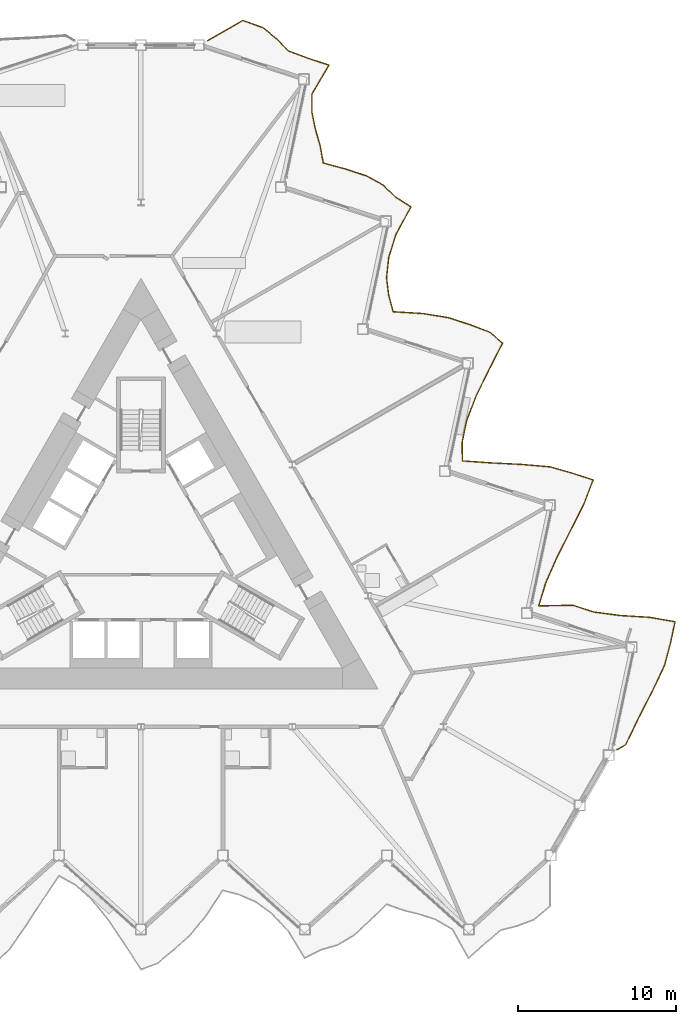
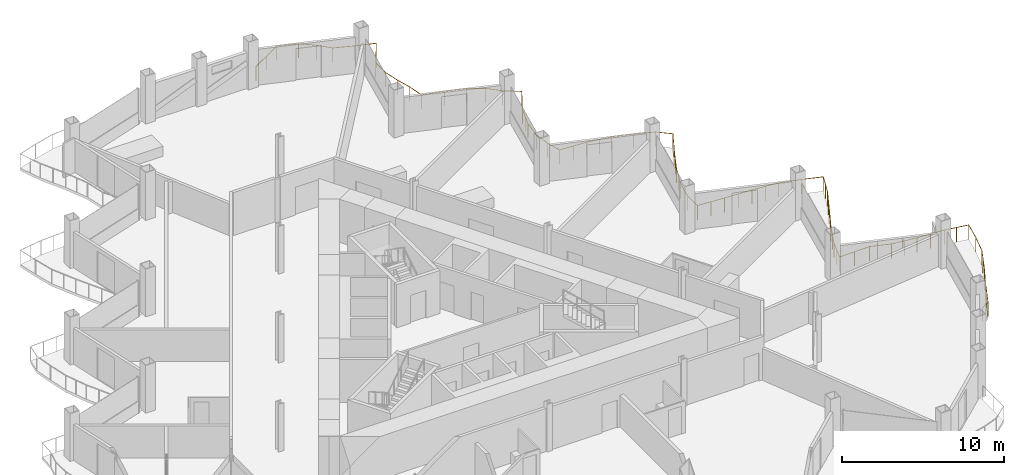
# One storey, part 21 of 23: 1 railing.
"""IFC4 building model written with IfcOpenShell, lengths in metres."""

import ifcopenshell
import ifcopenshell.guid

model = None  # the IFC model being written
_history = None  # IfcOwnerHistory: only IFC2X3 demands one
_inside = {}  # id of a spatial element -> (the spatial element, [elements in it])
_under = {}  # id of a project, library or spatial element -> (it, [spatial elements below it])
_declared = {}  # id of a project -> (the project, [libraries it declares])
_typed = {}  # id of a type object -> (the type object, [elements of that type])
_made_of = {}  # id of a material, layer set ... -> (it, [elements and type objects made of it])


def new_model(schema):
    """Start an empty IFC model of exactly this schema.

    Asked for "IFC4X3", IfcOpenShell would pick the latest addendum, in which some entities
    have other attributes; the version numbers below select the first issue.
    IFC2X3 requires an IfcOwnerHistory on every rooted entity: one is made here for all.
    """
    global model, _history
    if schema == "IFC4X3":
        model = ifcopenshell.file(schema_version=(4, 3, 0, 0))
    else:
        model = ifcopenshell.file(schema=schema)
    _inside.clear()
    _under.clear()
    _declared.clear()
    _typed.clear()
    _made_of.clear()
    _history = None
    if model.schema == "IFC2X3":
        org = make("IfcOrganization", Name="unknown")
        user = make(
            "IfcPersonAndOrganization",
            ThePerson=make("IfcPerson", FamilyName="unknown"),
            TheOrganization=org,
        )
        app = make(
            "IfcApplication",
            ApplicationDeveloper=org,
            Version="unknown",
            ApplicationFullName="unknown",
            ApplicationIdentifier="unknown",
        )
        _history = make(
            "IfcOwnerHistory",
            OwningUser=user,
            OwningApplication=app,
            ChangeAction="ADDED",
            CreationDate=0,
        )
    return model


def make(cls, **values):
    """One entity of the class cls with the attributes given. An attribute that is None is left unset."""
    return model.create_entity(
        cls, **{name: value for name, value in values.items() if value is not None}
    )


def rooted(cls, **values):
    """An entity with a GlobalId (a new one), such as an element, a storey or a relation."""
    return make(cls, GlobalId=ifcopenshell.guid.new(), OwnerHistory=_history, **values)


def si_unit(unit_type, name, prefix=None):
    """IfcSIUnit, for example si_unit("LENGTHUNIT", "METRE", prefix="MILLI")."""
    return make("IfcSIUnit", UnitType=unit_type, Prefix=prefix, Name=name)


def assignment(units):
    """IfcUnitAssignment: the units of a project."""
    return None if units is None else make("IfcUnitAssignment", Units=units)


def point(xyz):
    """IfcCartesianPoint."""
    return None if xyz is None else make("IfcCartesianPoint", Coordinates=xyz)


def direction(xyz):
    """IfcDirection."""
    return None if xyz is None else make("IfcDirection", DirectionRatios=xyz)


def frame(location, z_axis=None, x_axis=None):
    """IfcAxis2Placement3D, a coordinate frame: its origin and axes. An axis left out is left unset."""
    return make(
        "IfcAxis2Placement3D",
        Location=point(location),
        Axis=direction(z_axis),
        RefDirection=direction(x_axis),
    )


def frame_2d(location, x_axis=None):
    """IfcAxis2Placement2D, a coordinate frame in the plane: its origin and x axis."""
    return make(
        "IfcAxis2Placement2D", Location=point(location), RefDirection=direction(x_axis)
    )


def origin():
    """The frame at (0, 0, 0) with its axes left unset."""
    return frame((0.0, 0.0, 0.0))


def origin_2d():
    """The frame at (0, 0) in the plane with its x axis left unset."""
    return frame_2d((0.0, 0.0))


def place(relative_to, where):
    """IfcLocalPlacement: puts the frame where relative to a parent placement (None: the world)."""
    return make(
        "IfcLocalPlacement", PlacementRelTo=relative_to, RelativePlacement=where
    )


def context(
    kind, dimensions, precision=None, world=None, true_north=None, identifier=None
):
    """IfcGeometricRepresentationContext, for example the 3D "Model" context."""
    return make(
        "IfcGeometricRepresentationContext",
        ContextIdentifier=identifier,
        ContextType=kind,
        CoordinateSpaceDimension=dimensions,
        Precision=precision,
        WorldCoordinateSystem=world,
        TrueNorth=true_north,
    )


def subcontext(parent, identifier, kind, view, scale=None):
    """IfcGeometricRepresentationSubContext, for example "Body" below "Model"."""
    return make(
        "IfcGeometricRepresentationSubContext",
        ContextIdentifier=identifier,
        ContextType=kind,
        ParentContext=parent,
        TargetScale=scale,
        TargetView=view,
    )


def project(units=None, contexts=None):
    """IfcProject with its units and contexts."""
    return rooted(
        "IfcProject",
        Name="project",
        RepresentationContexts=contexts,
        UnitsInContext=assignment(units),
    )


def spatial(cls, under=None, at=None, **own):
    """A site, building, storey or space (cls), placed at a placement, below another one or the project."""
    s = rooted(cls, ObjectPlacement=at, **own)
    if under is not None:
        _under.setdefault(under.id(), (under, []))[1].append(s)
    return s


def profile(cls, at=None, kind="AREA", **sizes):
    """A parametric profile (cls). Its sizes go by their IFC names, for example OverallWidth=200.0."""
    return make(cls, ProfileType=kind, Position=at, **sizes)


def circle(**sizes):
    """IfcCircleProfileDef."""
    return profile("IfcCircleProfileDef", **sizes)


def extrude(swept, where, along, depth):
    """IfcExtrudedAreaSolid: the profile swept, set in the frame where, extruded along a direction by depth."""
    return make(
        "IfcExtrudedAreaSolid",
        SweptArea=swept,
        Position=where,
        ExtrudedDirection=direction(along),
        Depth=depth,
    )


def shape(context_of_items, identifier, shape_type, items):
    """IfcShapeRepresentation: the items that make up one representation, for example the "Body"."""
    return make(
        "IfcShapeRepresentation",
        ContextOfItems=context_of_items,
        RepresentationIdentifier=identifier,
        RepresentationType=shape_type,
        Items=items,
    )


def material(Name=None, Category=None):
    """IfcMaterial."""
    return make("IfcMaterial", Name=Name, Category=Category)


def made_of(thing, what):
    """Note that an element or type object is made of a material, layer set ...; save() writes the relation."""
    if what is not None:
        _made_of.setdefault(what.id(), (what, []))[1].append(thing)
    return thing


def type_object(cls, material=None, **own):
    """A type object (cls), such as IfcWallType, which elements share."""
    return made_of(rooted(cls, **own), material)


def element(
    cls,
    number,
    at=None,
    inside=None,
    cuts=None,
    type_object=None,
    material=None,
    context=None,
    identifier="Body",
    shape_type=None,
    held_by="IfcProductDefinitionShape",
    body=None,
    shapes=None,
    **own,
):
    """One element of the class cls, such as IfcWall. Its Tag is "e" and its number.

    at: its placement. inside: the storey or other place that contains it. cuts: it is an
    opening in that element (IfcRelVoidsElement). A single representation is given by context,
    identifier, shape_type and body (its items); several are given by shapes. held_by: the class
    of the entity that holds the representations. save() writes the other relations.
    """
    e = rooted(cls, Tag="e%d" % number, ObjectPlacement=at, **own)
    if body is not None:
        shapes = [shape(context, identifier, shape_type, body)]
    if shapes is not None:
        e.Representation = make(held_by, Representations=shapes)
    if inside is not None:
        _inside.setdefault(inside.id(), (inside, []))[1].append(e)
    if cuts is not None:
        rooted(
            "IfcRelVoidsElement", RelatingBuildingElement=cuts, RelatedOpeningElement=e
        )
    if type_object is not None:
        _typed.setdefault(type_object.id(), (type_object, []))[1].append(e)
    return made_of(e, material)


def aggregate(whole, parts):
    """IfcRelAggregates: a whole, such as a stair, and the parts it consists of."""
    return rooted("IfcRelAggregates", RelatingObject=whole, RelatedObjects=parts)


def save(model, path):
    """Write the relations noted so far, then the file.

    IfcRelAggregates (storeys below a building ...), IfcRelContainedInSpatialStructure (elements
    in a storey), IfcRelDefinesByType, IfcRelAssociatesMaterial and IfcRelDeclares: one each for
    every whole, place, type object, material and project.
    """
    for whole, parts in _under.values():
        aggregate(whole, parts)
    for where, things in _inside.values():
        rooted(
            "IfcRelContainedInSpatialStructure",
            RelatedElements=things,
            RelatingStructure=where,
        )
    for kind, things in _typed.values():
        rooted("IfcRelDefinesByType", RelatedObjects=things, RelatingType=kind)
    for what, things in _made_of.values():
        rooted("IfcRelAssociatesMaterial", RelatedObjects=things, RelatingMaterial=what)
    for by, libraries in _declared.values():
        rooted("IfcRelDeclares", RelatingContext=by, RelatedDefinitions=libraries)
    model.write(path)


model = new_model("IFC4")

# Units and contexts
model_context = context("Model", 3, precision=1e-05, world=origin(), true_north=direction((0.0, 1.0)))
body_context = subcontext(model_context, "Body", "Model", "MODEL_VIEW")
ifc_project = project(units=[si_unit("LENGTHUNIT", "METRE"), si_unit("AREAUNIT", "SQUARE_METRE"), si_unit("VOLUMEUNIT", "CUBIC_METRE"), si_unit("PLANEANGLEUNIT", "RADIAN"), si_unit("MASSUNIT", "GRAM", prefix="KILO")], contexts=[model_context])

# Site, building, storey
site_placement = place(None, origin())
site = spatial("IfcSite", under=ifc_project, at=site_placement, CompositionType="ELEMENT")
building_placement = place(site_placement, origin())
building = spatial("IfcBuilding", under=site, at=building_placement, Name="Cormorant Prow Tower", CompositionType="ELEMENT")
storey_placement = place(building_placement, frame((0.0, 0.0, 263.39990234375)))
storey = spatial("IfcBuildingStorey", under=building, at=storey_placement, Name="L59", CompositionType="ELEMENT", Elevation=263.39990234375)

# Railing
ifc_material = material(Name="Aluminium 6063-T6", Category="aluminium")
railing_type = type_object("IfcRailingType", Name="Balcony guard 1100", PredefinedType="GUARDRAIL", material=ifc_material)
railing_placement = place(storey_placement, frame((30.135498046875, -12.5234375, 0.0)))
element("IfcRailing", 1, at=railing_placement, inside=storey, type_object=railing_type, Name="Balcony guard ENE", PredefinedType="GUARDRAIL", context=body_context, shape_type="SweptSolid", body=[
    extrude(circle(Radius=0.02392578125, at=origin_2d()), frame((0.0, 0.0, 1.076171875), z_axis=(0.865942655036, 0.500143297656, 0.0), x_axis=(-0.500143297656, 0.865942655036, 0.0)), (0.0, 0.0, 1.0), 0.635986328125),
    extrude(circle(Radius=0.02392578125, at=origin_2d()), frame((0.55078125, 0.318115234375, 1.076171875), z_axis=(0.434604504053, 0.900621410503, 0.0), x_axis=(-0.900621410503, 0.434604504053, 0.0)), (0.0, 0.0, 1.0), 1.842041015625),
    extrude(circle(Radius=0.02392578125, at=origin_2d()), frame((1.351318359375, 1.97705078125, 1.076171875), z_axis=(0.457287486383, 0.889318927493, 0.0), x_axis=(-0.889318927493, 0.457287486383, 0.0)), (0.0, 0.0, 1.0), 1.9140625),
    extrude(circle(Radius=0.02392578125, at=origin_2d()), frame((2.2265625, 3.67919921875, 1.076171875), z_axis=(0.42748121012, 0.904024233632, 0.0), x_axis=(-0.904024233632, 0.42748121012, 0.0)), (0.0, 0.0, 1.0), 1.8212890625),
    extrude(circle(Radius=0.02392578125, at=origin_2d()), frame((3.005126953125, 5.32568359375, 1.076171875), z_axis=(0.259340649862, 0.965785911747, 0.0), x_axis=(-0.965785911747, 0.259340649862, 0.0)), (0.0, 0.0, 1.0), 1.466796875),
    extrude(circle(Radius=0.02392578125, at=origin_2d()), frame((3.385498046875, 6.7421875, 1.076171875), z_axis=(0.207950868925, 0.97813927235, 0.0), x_axis=(-0.97813927235, 0.207950868925, 0.0)), (0.0, 0.0, 1.0), 1.394775390625),
    extrude(circle(Radius=0.02392578125, at=origin_2d()), frame((3.675537109375, 8.1064453125, 1.076171875), z_axis=(-0.984873312633, 0.173275959276, 0.0), x_axis=(-0.173275959276, -0.984873312633, 0.0)), (0.0, 0.0, 1.0), 1.61328125),
    extrude(circle(Radius=0.02392578125, at=origin_2d()), frame((2.086669921875, 8.385986328125, 1.076171875), z_axis=(-0.998104869315, 0.061535923252, 0.0), x_axis=(-0.061535923252, -0.998104869315, 0.0)), (0.0, 0.0, 1.0), 1.876708984375),
    extrude(circle(Radius=0.02392578125, at=origin_2d()), frame((0.213623046875, 8.50146484375, 1.076171875), z_axis=(-0.991362723895, 0.131148578613, 0.0), x_axis=(-0.131148578613, -0.991362723895, 0.0)), (0.0, 0.0, 1.0), 1.701416015625),
    extrude(circle(Radius=0.02392578125, at=origin_2d()), frame((-1.47314453125, 8.724609375, 1.076171875), z_axis=(-0.951088075615, 0.308919847895, 0.0), x_axis=(-0.308919847895, -0.951088075615, 0.0)), (0.0, 0.0, 1.0), 1.394775390625),
    extrude(circle(Radius=0.02392578125, at=origin_2d()), frame((-2.7998046875, 9.155517578125, 1.076171875), z_axis=(-0.999793281828, -0.020332083327, 0.0), x_axis=(0.020332083327, -0.999793281828, 0.0)), (0.0, 0.0, 1.0), 2.1494140625),
    extrude(circle(Radius=0.02392578125, at=origin_2d()), frame((-4.94873046875, 9.11181640625, 1.076171875), z_axis=(0.288605655925, 0.957448053613, 0.0), x_axis=(-0.957448053613, 0.288605655925, 0.0)), (0.0, 0.0, 1.0), 1.513427734375),
    extrude(circle(Radius=0.02392578125, at=origin_2d()), frame((-4.511962890625, 10.560791015625, 1.076171875), z_axis=(0.404307118374, 0.914623285311, 0.0), x_axis=(-0.914623285311, 0.404307118374, 0.0)), (0.0, 0.0, 1.0), 1.757080078125),
    extrude(circle(Radius=0.02392578125, at=origin_2d()), frame((-3.801513671875, 12.16796875, 1.076171875), z_axis=(0.453215535464, 0.891400963884, 0.0), x_axis=(-0.891400963884, 0.453215535464, 0.0)), (0.0, 0.0, 1.0), 1.900390625),
    extrude(circle(Radius=0.02392578125, at=origin_2d()), frame((-2.940185546875, 13.862060546875, 1.076171875), z_axis=(0.44824971078, 0.89390838277, 0.0), x_axis=(-0.89390838277, 0.44824971078, 0.0)), (0.0, 0.0, 1.0), 1.884521484375),
    extrude(circle(Radius=0.02392578125, at=origin_2d()), frame((-2.095458984375, 15.546630859375, 1.076171875), z_axis=(0.357586696958, 0.933879946331, 0.0), x_axis=(-0.933879946331, 0.357586696958, 0.0)), (0.0, 0.0, 1.0), 1.6455078125),
    extrude(circle(Radius=0.02392578125, at=origin_2d()), frame((-1.507080078125, 17.083251953125, 1.076171875), z_axis=(-0.951071368511, 0.308971280217, 0.0), x_axis=(-0.308971280217, -0.951071368511, 0.0)), (0.0, 0.0, 1.0), 1.394775390625),
    extrude(circle(Radius=0.02392578125, at=origin_2d()), frame((-2.83349609375, 17.51416015625, 1.076171875), z_axis=(-0.961855011938, 0.273559748518, 0.0), x_axis=(-0.273559748518, -0.961855011938, 0.0)), (0.0, 0.0, 1.0), 1.444091796875),
    extrude(circle(Radius=0.02392578125, at=origin_2d()), frame((-4.222412109375, 17.9091796875, 1.076171875), z_axis=(-0.996223849689, 0.086821894192, 0.0), x_axis=(-0.086821894192, -0.996223849689, 0.0)), (0.0, 0.0, 1.0), 1.80810546875),
    extrude(circle(Radius=0.02392578125, at=origin_2d()), frame((-6.023681640625, 18.066162109375, 1.076171875), z_axis=(-0.99879181024, 0.049141833475, 0.0), x_axis=(-0.049141833475, -0.99879181024, 0.0)), (0.0, 0.0, 1.0), 1.91259765625),
    extrude(circle(Radius=0.02392578125, at=origin_2d()), frame((-7.93408203125, 18.16015625, 1.076171875), z_axis=(-0.997550149311, 0.069954982737, 0.0), x_axis=(-0.069954982737, -0.997550149311, 0.0)), (0.0, 0.0, 1.0), 1.853271484375),
    extrude(circle(Radius=0.02392578125, at=origin_2d()), frame((-9.78271484375, 18.289794921875, 1.076171875), z_axis=(-0.014398836288, 0.999896331383, 0.0), x_axis=(-0.999896331383, -0.014398836288, 0.0)), (0.0, 0.0, 1.0), 1.18701171875),
    extrude(circle(Radius=0.02392578125, at=origin_2d()), frame((-9.7998046875, 19.4765625, 1.076171875), z_axis=(0.206151834206, 0.978520015765, 0.0), x_axis=(-0.978520015765, 0.206151834206, 0.0)), (0.0, 0.0, 1.0), 1.392822265625),
    extrude(circle(Radius=0.02392578125, at=origin_2d()), frame((-9.5126953125, 20.83935546875, 1.076171875), z_axis=(0.359415498017, 0.933177635708, 0.0), x_axis=(-0.933177635708, 0.359415498017, 0.0)), (0.0, 0.0, 1.0), 1.649169921875),
    extrude(circle(Radius=0.02392578125, at=origin_2d()), frame((-8.919921875, 22.37841796875, 1.076171875), z_axis=(0.437318675053, 0.899306608699, 0.0), x_axis=(-0.899306608699, 0.437318675053, 0.0)), (0.0, 0.0, 1.0), 1.8505859375),
    extrude(circle(Radius=0.02392578125, at=origin_2d()), frame((-8.110595703125, 24.042724609375, 1.076171875), z_axis=(0.457039417902, 0.889446440481, 0.0), x_axis=(-0.889446440481, 0.457039417902, 0.0)), (0.0, 0.0, 1.0), 1.912841796875),
    extrude(circle(Radius=0.02392578125, at=origin_2d()), frame((-7.236328125, 25.744140625, 1.076171875), z_axis=(-0.768293742911, 0.64009743368, 0.0), x_axis=(-0.64009743368, -0.768293742911, 0.0)), (0.0, 0.0, 1.0), 1.1044921875),
    extrude(circle(Radius=0.02392578125, at=origin_2d()), frame((-8.0849609375, 26.451171875, 1.076171875), z_axis=(-0.936568023261, 0.350485859636, 0.0), x_axis=(-0.350485859636, -0.936568023261, 0.0)), (0.0, 0.0, 1.0), 1.343017578125),
    extrude(circle(Radius=0.02392578125, at=origin_2d()), frame((-9.3427734375, 26.921875, 1.076171875), z_axis=(-0.951088075615, 0.308919847895, 0.0), x_axis=(-0.308919847895, -0.951088075615, 0.0)), (0.0, 0.0, 1.0), 1.394775390625),
    extrude(circle(Radius=0.02392578125, at=origin_2d()), frame((-10.66943359375, 27.352783203125, 1.076171875), z_axis=(-0.986956091935, 0.160989666106, 0.0), x_axis=(-0.160989666106, -0.986956091935, 0.0)), (0.0, 0.0, 1.0), 1.637939453125),
    extrude(circle(Radius=0.02392578125, at=origin_2d()), frame((-12.285888671875, 27.616455078125, 1.076171875), z_axis=(-0.998234799523, 0.05939095066, 0.0), x_axis=(-0.05939095066, -0.998234799523, 0.0)), (0.0, 0.0, 1.0), 1.8828125),
    extrude(circle(Radius=0.02392578125, at=origin_2d()), frame((-14.165283203125, 27.728271484375, 1.076171875), z_axis=(-0.263599321059, 0.964632260469, 0.0), x_axis=(-0.964632260469, -0.263599321059, 0.0)), (0.0, 0.0, 1.0), 1.071533203125),
    extrude(circle(Radius=0.02392578125, at=origin_2d()), frame((-14.44775390625, 28.761962890625, 1.076171875), z_axis=(-0.11910252531, 0.992881960993, 0.0), x_axis=(-0.992881960993, -0.11910252531, 0.0)), (0.0, 0.0, 1.0), 1.12744140625),
    extrude(circle(Radius=0.02392578125, at=origin_2d()), frame((-14.58203125, 29.88134765625, 1.076171875), z_axis=(0.107425969363, 0.994213086369, 0.0), x_axis=(-0.994213086369, 0.107425969363, 0.0)), (0.0, 0.0, 1.0), 1.283935546875),
    extrude(circle(Radius=0.02392578125, at=origin_2d()), frame((-14.444091796875, 31.157958984375, 1.076171875), z_axis=(0.297429012551, 0.954743935562, 0.0), x_axis=(-0.954743935562, 0.297429012551, 0.0)), (0.0, 0.0, 1.0), 1.5283203125),
    extrude(circle(Radius=0.02392578125, at=origin_2d()), frame((-13.989501953125, 32.6171875, 1.076171875), z_axis=(0.477498874216, 0.878632360616, 0.0), x_axis=(-0.878632360616, 0.477498874216, 0.0)), (0.0, 0.0, 1.0), 1.9853515625),
    extrude(circle(Radius=0.02392578125, at=origin_2d()), frame((-13.04150390625, 34.361572265625, 1.076171875), z_axis=(-0.839113977047, 0.543955635621, 0.0), x_axis=(-0.543955635621, -0.839113977047, 0.0)), (0.0, 0.0, 1.0), 1.163818359375),
    extrude(circle(Radius=0.02392578125, at=origin_2d()), frame((-14.01806640625, 34.99462890625, 1.076171875), z_axis=(-0.720885238083, 0.693054452055, 0.0), x_axis=(-0.693054452055, -0.720885238083, 0.0)), (0.0, 0.0, 1.0), 1.0791015625),
    extrude(circle(Radius=0.02392578125, at=origin_2d()), frame((-14.7958984375, 35.742431640625, 1.076171875), z_axis=(-0.87401428718, 0.485900222068, 0.0), x_axis=(-0.485900222068, -0.87401428718, 0.0)), (0.0, 0.0, 1.0), 1.20849609375),
    extrude(circle(Radius=0.02392578125, at=origin_2d()), frame((-15.85205078125, 36.32958984375, 1.076171875), z_axis=(-0.951088075615, 0.308919847895, 0.0), x_axis=(-0.308919847895, -0.951088075615, 0.0)), (0.0, 0.0, 1.0), 1.394775390625),
    extrude(circle(Radius=0.02392578125, at=origin_2d()), frame((-17.1787109375, 36.760498046875, 1.076171875), z_axis=(-0.965125305227, 0.261788359579, 0.0), x_axis=(-0.261788359579, -0.965125305227, 0.0)), (0.0, 0.0, 1.0), 1.46142578125),
    extrude(circle(Radius=0.02392578125, at=origin_2d()), frame((-18.589111328125, 37.14306640625, 1.076171875), z_axis=(-0.177324755357, 0.984152392233, 0.0), x_axis=(-0.984152392233, -0.177324755357, 0.0)), (0.0, 0.0, 1.0), 1.101318359375),
    extrude(circle(Radius=0.02392578125, at=origin_2d()), frame((-18.784423828125, 38.22705078125, 1.076171875), z_axis=(-0.276320618852, 0.961065510565, 0.0), x_axis=(-0.961065510565, -0.276320618852, 0.0)), (0.0, 0.0, 1.0), 1.068115234375),
    extrude(circle(Radius=0.02392578125, at=origin_2d()), frame((-19.07958984375, 39.253662109375, 1.076171875), z_axis=(-0.204499242094, 0.978866722278, 0.0), x_axis=(-0.978866722278, -0.204499242094, 0.0)), (0.0, 0.0, 1.0), 1.091064453125),
    extrude(circle(Radius=0.02392578125, at=origin_2d()), frame((-19.302734375, 40.32177734375, 1.076171875), z_axis=(-0.001224738824, 0.999999250007, 0.0), x_axis=(-0.999999250007, -0.001224738824, 0.0)), (0.0, 0.0, 1.0), 1.196044921875),
    extrude(circle(Radius=0.02392578125, at=origin_2d()), frame((-19.30419921875, 41.517822265625, 1.076171875), z_axis=(0.510197574777, 0.860057227568, 0.0), x_axis=(-0.860057227568, 0.510197574777, 0.0)), (0.0, 0.0, 1.0), 2.116455078125),
    extrude(circle(Radius=0.02392578125, at=origin_2d()), frame((-18.224365234375, 43.338134765625, 1.076171875), z_axis=(-0.951071368511, 0.308971280217, 0.0), x_axis=(-0.308971280217, -0.951071368511, 0.0)), (0.0, 0.0, 1.0), 1.394775390625),
    extrude(circle(Radius=0.02392578125, at=origin_2d()), frame((-19.55078125, 43.76904296875, 1.076171875), z_axis=(-0.935819407304, 0.352479839016, 0.0), x_axis=(-0.352479839016, -0.935819407304, 0.0)), (0.0, 0.0, 1.0), 1.341064453125),
    extrude(circle(Radius=0.02392578125, at=origin_2d()), frame((-20.8056640625, 44.24169921875, 1.076171875), z_axis=(-0.69593884848, 0.718101050812, 0.0), x_axis=(-0.718101050812, -0.69593884848, 0.0)), (0.0, 0.0, 1.0), 1.068603515625),
    extrude(circle(Radius=0.02392578125, at=origin_2d()), frame((-21.54931640625, 45.009033203125, 1.076171875), z_axis=(-0.775035277765, 0.631917967951, 0.0), x_axis=(-0.631917967951, -0.775035277765, 0.0)), (0.0, 0.0, 1.0), 1.10888671875),
    extrude(circle(Radius=0.02392578125, at=origin_2d()), frame((-22.40869140625, 45.709716796875, 1.076171875), z_axis=(-0.941346942573, 0.337440266874, 0.0), x_axis=(-0.337440266874, -0.941346942573, 0.0)), (0.0, 0.0, 1.0), 1.358642578125),
    extrude(circle(Radius=0.02392578125, at=origin_2d()), frame((-23.687744140625, 46.168212890625, 1.076171875), z_axis=(-0.866054294558, -0.499949956374, 0.0), x_axis=(0.499949956374, -0.866054294558, 0.0)), (0.0, 0.0, 1.0), 2.570068359375),
    extrude(circle(Radius=0.02099609375, at=origin_2d()), origin(), (0.0, 0.0, 1.0), 1.052001953125),
    extrude(circle(Radius=0.02099609375, at=origin_2d()), frame((0.55078125, 0.318115234375, 0.0)), (0.0, 0.0, 1.0), 1.052001953125),
    extrude(circle(Radius=0.02099609375, at=origin_2d()), frame((0.951171875, 1.1474609375, 0.0)), (0.0, 0.0, 1.0), 1.052001953125),
    extrude(circle(Radius=0.02099609375, at=origin_2d()), frame((1.351318359375, 1.97705078125, 0.0)), (0.0, 0.0, 1.0), 1.052001953125),
    extrude(circle(Radius=0.02099609375, at=origin_2d()), frame((1.7890625, 2.828125, 0.0)), (0.0, 0.0, 1.0), 1.052001953125),
    extrude(circle(Radius=0.02099609375, at=origin_2d()), frame((2.2265625, 3.67919921875, 0.0)), (0.0, 0.0, 1.0), 1.052001953125),
    extrude(circle(Radius=0.02099609375, at=origin_2d()), frame((2.61572265625, 4.50244140625, 0.0)), (0.0, 0.0, 1.0), 1.052001953125),
    extrude(circle(Radius=0.02099609375, at=origin_2d()), frame((3.005126953125, 5.32568359375, 0.0)), (0.0, 0.0, 1.0), 1.052001953125),
    extrude(circle(Radius=0.02099609375, at=origin_2d()), frame((3.385498046875, 6.7421875, 0.0)), (0.0, 0.0, 1.0), 1.052001953125),
    extrude(circle(Radius=0.02099609375, at=origin_2d()), frame((3.675537109375, 8.1064453125, 0.0)), (0.0, 0.0, 1.0), 1.052001953125),
    extrude(circle(Radius=0.02099609375, at=origin_2d()), frame((2.881103515625, 8.24609375, 0.0)), (0.0, 0.0, 1.0), 1.052001953125),
    extrude(circle(Radius=0.02099609375, at=origin_2d()), frame((2.086669921875, 8.385986328125, 0.0)), (0.0, 0.0, 1.0), 1.052001953125),
    extrude(circle(Radius=0.02099609375, at=origin_2d()), frame((1.150146484375, 8.44384765625, 0.0)), (0.0, 0.0, 1.0), 1.052001953125),
    extrude(circle(Radius=0.02099609375, at=origin_2d()), frame((0.213623046875, 8.50146484375, 0.0)), (0.0, 0.0, 1.0), 1.052001953125),
    extrude(circle(Radius=0.02099609375, at=origin_2d()), frame((-0.6298828125, 8.613037109375, 0.0)), (0.0, 0.0, 1.0), 1.052001953125),
    extrude(circle(Radius=0.02099609375, at=origin_2d()), frame((-1.47314453125, 8.724609375, 0.0)), (0.0, 0.0, 1.0), 1.052001953125),
    extrude(circle(Radius=0.02099609375, at=origin_2d()), frame((-2.7998046875, 9.155517578125, 0.0)), (0.0, 0.0, 1.0), 1.052001953125),
    extrude(circle(Radius=0.02099609375, at=origin_2d()), frame((-3.874267578125, 9.1337890625, 0.0)), (0.0, 0.0, 1.0), 1.052001953125),
    extrude(circle(Radius=0.02099609375, at=origin_2d()), frame((-4.94873046875, 9.11181640625, 0.0)), (0.0, 0.0, 1.0), 1.052001953125),
    extrude(circle(Radius=0.02099609375, at=origin_2d()), frame((-4.73046875, 9.83642578125, 0.0)), (0.0, 0.0, 1.0), 1.052001953125),
    extrude(circle(Radius=0.02099609375, at=origin_2d()), frame((-4.511962890625, 10.560791015625, 0.0)), (0.0, 0.0, 1.0), 1.052001953125),
    extrude(circle(Radius=0.02099609375, at=origin_2d()), frame((-4.15673828125, 11.3642578125, 0.0)), (0.0, 0.0, 1.0), 1.052001953125),
    extrude(circle(Radius=0.02099609375, at=origin_2d()), frame((-3.801513671875, 12.16796875, 0.0)), (0.0, 0.0, 1.0), 1.052001953125),
    extrude(circle(Radius=0.02099609375, at=origin_2d()), frame((-3.370849609375, 13.01513671875, 0.0)), (0.0, 0.0, 1.0), 1.052001953125),
    extrude(circle(Radius=0.02099609375, at=origin_2d()), frame((-2.940185546875, 13.862060546875, 0.0)), (0.0, 0.0, 1.0), 1.052001953125),
    extrude(circle(Radius=0.02099609375, at=origin_2d()), frame((-2.517822265625, 14.704345703125, 0.0)), (0.0, 0.0, 1.0), 1.052001953125),
    extrude(circle(Radius=0.02099609375, at=origin_2d()), frame((-2.095458984375, 15.546630859375, 0.0)), (0.0, 0.0, 1.0), 1.052001953125),
    extrude(circle(Radius=0.02099609375, at=origin_2d()), frame((-1.80126953125, 16.31494140625, 0.0)), (0.0, 0.0, 1.0), 1.052001953125),
    extrude(circle(Radius=0.02099609375, at=origin_2d()), frame((-1.507080078125, 17.083251953125, 0.0)), (0.0, 0.0, 1.0), 1.052001953125),
    extrude(circle(Radius=0.02099609375, at=origin_2d()), frame((-2.83349609375, 17.51416015625, 0.0)), (0.0, 0.0, 1.0), 1.052001953125),
    extrude(circle(Radius=0.02099609375, at=origin_2d()), frame((-4.222412109375, 17.9091796875, 0.0)), (0.0, 0.0, 1.0), 1.052001953125),
    extrude(circle(Radius=0.02099609375, at=origin_2d()), frame((-5.123046875, 17.98779296875, 0.0)), (0.0, 0.0, 1.0), 1.052001953125),
    extrude(circle(Radius=0.02099609375, at=origin_2d()), frame((-6.023681640625, 18.066162109375, 0.0)), (0.0, 0.0, 1.0), 1.052001953125),
    extrude(circle(Radius=0.02099609375, at=origin_2d()), frame((-6.97900390625, 18.11328125, 0.0)), (0.0, 0.0, 1.0), 1.052001953125),
    extrude(circle(Radius=0.02099609375, at=origin_2d()), frame((-7.93408203125, 18.16015625, 0.0)), (0.0, 0.0, 1.0), 1.052001953125),
    extrude(circle(Radius=0.02099609375, at=origin_2d()), frame((-8.8583984375, 18.22509765625, 0.0)), (0.0, 0.0, 1.0), 1.052001953125),
    extrude(circle(Radius=0.02099609375, at=origin_2d()), frame((-9.78271484375, 18.289794921875, 0.0)), (0.0, 0.0, 1.0), 1.052001953125),
    extrude(circle(Radius=0.02099609375, at=origin_2d()), frame((-9.7998046875, 19.4765625, 0.0)), (0.0, 0.0, 1.0), 1.052001953125),
    extrude(circle(Radius=0.02099609375, at=origin_2d()), frame((-9.5126953125, 20.83935546875, 0.0)), (0.0, 0.0, 1.0), 1.052001953125),
    extrude(circle(Radius=0.02099609375, at=origin_2d()), frame((-9.21630859375, 21.60888671875, 0.0)), (0.0, 0.0, 1.0), 1.052001953125),
    extrude(circle(Radius=0.02099609375, at=origin_2d()), frame((-8.919921875, 22.37841796875, 0.0)), (0.0, 0.0, 1.0), 1.052001953125),
    extrude(circle(Radius=0.02099609375, at=origin_2d()), frame((-8.51513671875, 23.21044921875, 0.0)), (0.0, 0.0, 1.0), 1.052001953125),
    extrude(circle(Radius=0.02099609375, at=origin_2d()), frame((-8.110595703125, 24.042724609375, 0.0)), (0.0, 0.0, 1.0), 1.052001953125),
    extrude(circle(Radius=0.02099609375, at=origin_2d()), frame((-7.67333984375, 24.8935546875, 0.0)), (0.0, 0.0, 1.0), 1.052001953125),
    extrude(circle(Radius=0.02099609375, at=origin_2d()), frame((-7.236328125, 25.744140625, 0.0)), (0.0, 0.0, 1.0), 1.052001953125),
    extrude(circle(Radius=0.02099609375, at=origin_2d()), frame((-8.0849609375, 26.451171875, 0.0)), (0.0, 0.0, 1.0), 1.052001953125),
    extrude(circle(Radius=0.02099609375, at=origin_2d()), frame((-9.3427734375, 26.921875, 0.0)), (0.0, 0.0, 1.0), 1.052001953125),
    extrude(circle(Radius=0.02099609375, at=origin_2d()), frame((-10.66943359375, 27.352783203125, 0.0)), (0.0, 0.0, 1.0), 1.052001953125),
    extrude(circle(Radius=0.02099609375, at=origin_2d()), frame((-11.4775390625, 27.484619140625, 0.0)), (0.0, 0.0, 1.0), 1.052001953125),
    extrude(circle(Radius=0.02099609375, at=origin_2d()), frame((-12.285888671875, 27.616455078125, 0.0)), (0.0, 0.0, 1.0), 1.052001953125),
    extrude(circle(Radius=0.02099609375, at=origin_2d()), frame((-13.2255859375, 27.67236328125, 0.0)), (0.0, 0.0, 1.0), 1.052001953125),
    extrude(circle(Radius=0.02099609375, at=origin_2d()), frame((-14.165283203125, 27.728271484375, 0.0)), (0.0, 0.0, 1.0), 1.052001953125),
    extrude(circle(Radius=0.02099609375, at=origin_2d()), frame((-14.44775390625, 28.761962890625, 0.0)), (0.0, 0.0, 1.0), 1.052001953125),
    extrude(circle(Radius=0.02099609375, at=origin_2d()), frame((-14.58203125, 29.88134765625, 0.0)), (0.0, 0.0, 1.0), 1.052001953125),
    extrude(circle(Radius=0.02099609375, at=origin_2d()), frame((-14.444091796875, 31.157958984375, 0.0)), (0.0, 0.0, 1.0), 1.052001953125),
    extrude(circle(Radius=0.02099609375, at=origin_2d()), frame((-14.216796875, 31.8876953125, 0.0)), (0.0, 0.0, 1.0), 1.052001953125),
    extrude(circle(Radius=0.02099609375, at=origin_2d()), frame((-13.989501953125, 32.6171875, 0.0)), (0.0, 0.0, 1.0), 1.052001953125),
    extrude(circle(Radius=0.02099609375, at=origin_2d()), frame((-13.515625, 33.4892578125, 0.0)), (0.0, 0.0, 1.0), 1.052001953125),
    extrude(circle(Radius=0.02099609375, at=origin_2d()), frame((-13.04150390625, 34.361572265625, 0.0)), (0.0, 0.0, 1.0), 1.052001953125),
    extrude(circle(Radius=0.02099609375, at=origin_2d()), frame((-14.01806640625, 34.99462890625, 0.0)), (0.0, 0.0, 1.0), 1.052001953125),
    extrude(circle(Radius=0.02099609375, at=origin_2d()), frame((-14.7958984375, 35.742431640625, 0.0)), (0.0, 0.0, 1.0), 1.052001953125),
    extrude(circle(Radius=0.02099609375, at=origin_2d()), frame((-15.85205078125, 36.32958984375, 0.0)), (0.0, 0.0, 1.0), 1.052001953125),
    extrude(circle(Radius=0.02099609375, at=origin_2d()), frame((-17.1787109375, 36.760498046875, 0.0)), (0.0, 0.0, 1.0), 1.052001953125),
    extrude(circle(Radius=0.02099609375, at=origin_2d()), frame((-18.589111328125, 37.14306640625, 0.0)), (0.0, 0.0, 1.0), 1.052001953125),
    extrude(circle(Radius=0.02099609375, at=origin_2d()), frame((-18.784423828125, 38.22705078125, 0.0)), (0.0, 0.0, 1.0), 1.052001953125),
    extrude(circle(Radius=0.02099609375, at=origin_2d()), frame((-19.07958984375, 39.253662109375, 0.0)), (0.0, 0.0, 1.0), 1.052001953125),
    extrude(circle(Radius=0.02099609375, at=origin_2d()), frame((-19.302734375, 40.32177734375, 0.0)), (0.0, 0.0, 1.0), 1.052001953125),
    extrude(circle(Radius=0.02099609375, at=origin_2d()), frame((-19.30419921875, 41.517822265625, 0.0)), (0.0, 0.0, 1.0), 1.052001953125),
    extrude(circle(Radius=0.02099609375, at=origin_2d()), frame((-18.76416015625, 42.427978515625, 0.0)), (0.0, 0.0, 1.0), 1.052001953125),
    extrude(circle(Radius=0.02099609375, at=origin_2d()), frame((-18.224365234375, 43.338134765625, 0.0)), (0.0, 0.0, 1.0), 1.052001953125),
    extrude(circle(Radius=0.02099609375, at=origin_2d()), frame((-19.55078125, 43.76904296875, 0.0)), (0.0, 0.0, 1.0), 1.052001953125),
    extrude(circle(Radius=0.02099609375, at=origin_2d()), frame((-20.8056640625, 44.24169921875, 0.0)), (0.0, 0.0, 1.0), 1.052001953125),
    extrude(circle(Radius=0.02099609375, at=origin_2d()), frame((-21.54931640625, 45.009033203125, 0.0)), (0.0, 0.0, 1.0), 1.052001953125),
    extrude(circle(Radius=0.02099609375, at=origin_2d()), frame((-22.40869140625, 45.709716796875, 0.0)), (0.0, 0.0, 1.0), 1.052001953125),
    extrude(circle(Radius=0.02099609375, at=origin_2d()), frame((-23.687744140625, 46.168212890625, 0.0)), (0.0, 0.0, 1.0), 1.052001953125),
    extrude(circle(Radius=0.02099609375, at=origin_2d()), frame((-24.80078125, 45.52587890625, 0.0)), (0.0, 0.0, 1.0), 1.052001953125),
    extrude(circle(Radius=0.02099609375, at=origin_2d()), frame((-25.91357421875, 44.88330078125, 0.0)), (0.0, 0.0, 1.0), 1.052001953125),
])

save(model, "model.ifc")
